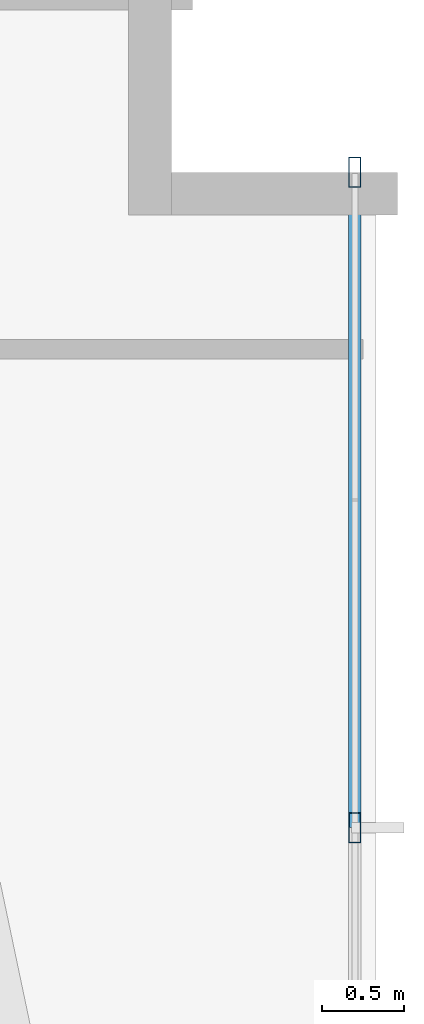
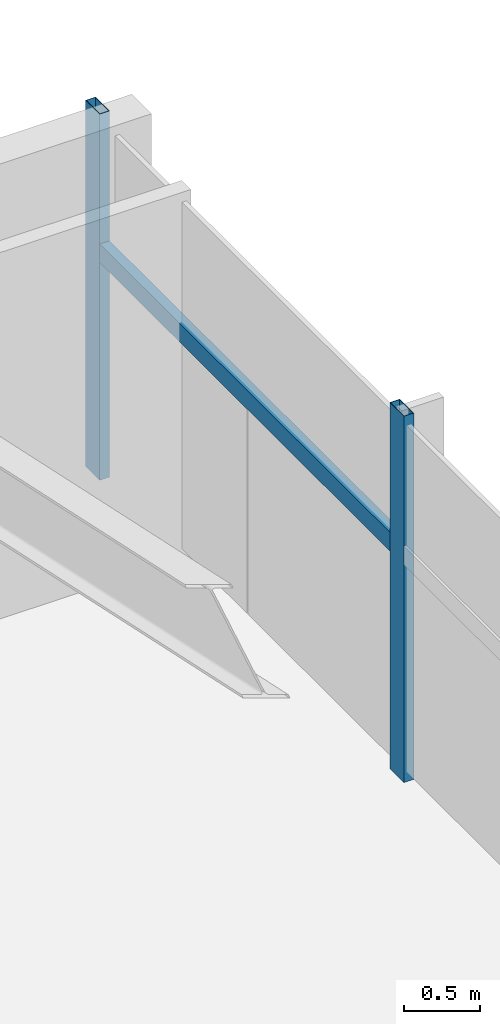
# One storey, part 17 of 25: 3 members, 1 element without a shape of its own.
"""IFC4 building model written with IfcOpenShell, lengths in metres."""

from ifc_helpers import new_model, si_unit, direction, frame, origin, origin_2d, place, context, subcontext, project, spatial, hollow_rectangle, extrude, source, transform, mapped, material, material_profile, profile_set, type_object, type_shapes, element, aggregate, save


model = new_model("IFC4")

# Units and contexts
model_context = context("Model", 3, precision=1e-05, world=origin(), true_north=direction((0.0, 1.0)))
body_context = subcontext(model_context, "Body", "Model", "MODEL_VIEW")
ifc_project = project(units=[si_unit("LENGTHUNIT", "METRE"), si_unit("AREAUNIT", "SQUARE_METRE"), si_unit("VOLUMEUNIT", "CUBIC_METRE"), si_unit("PLANEANGLEUNIT", "RADIAN"), si_unit("MASSUNIT", "GRAM", prefix="KILO")], contexts=[model_context])

# Site, building, storey
site_placement = place(None, origin())
site = spatial("IfcSite", under=ifc_project, at=site_placement, CompositionType="ELEMENT")
building_placement = place(site_placement, origin())
building = spatial("IfcBuilding", under=site, at=building_placement, Name="Astriad Promenade Condominiums", CompositionType="ELEMENT")
storey_placement = place(building_placement, frame((0.0, 0.0, 42.199951171875)))
storey = spatial("IfcBuildingStorey", under=building, at=storey_placement, Name="L11", CompositionType="ELEMENT", Elevation=42.199951171875)

# Curtain wall, members
ifc_material_1 = material(Name="Anodised aluminium Black Dark Glass Unitised", Category="aluminium")
curtain_wall_type = type_object("IfcCurtainWallType", Name="CW-B1-DARK", PredefinedType="USERDEFINED", material=ifc_material_1)
curtain_wall_placement = place(storey_placement, origin())
curtain_wall = element("IfcCurtainWall", 1, at=curtain_wall_placement, inside=storey, type_object=curtain_wall_type, Name="CW-L11-E", ObjectType="UNITISED_CURTAIN_WALL", PredefinedType="USERDEFINED")
ifc_material_2 = material(Name="Anodised aluminium 6063-T6 Black", Category="aluminium")
ifc_material_profile_1 = material_profile(ifc_material_2, hollow_rectangle(XDim=0.074951171875, YDim=0.18505859375, WallThickness=0.00439453125, at=origin_2d()), Name="ALU-MUL-75X185")
ifc_profile_set_1 = profile_set([ifc_material_profile_1], Name="Anodised aluminium 6063-T6 Black")
member_type_1 = type_object("IfcMemberType", Name="MUL-ALU-MUL-75X185", PredefinedType="MULLION", material=ifc_profile_set_1)
shared_shape_1 = source(origin(), body_context, "Body", "SweptSolid", [
    extrude(hollow_rectangle(XDim=0.074951171875, YDim=0.18505859375, WallThickness=0.00439453125, at=origin_2d()), origin(), (0.0, 0.0, 1.0), 2.93994140625),
])
type_shapes(member_type_1, [shared_shape_1])
member_1_placement = place(storey_placement, frame((59.669921875, 25.199951171875, 0.0), z_axis=(0.0, 0.0, 1.0), x_axis=(1.0, 0.0, 0.0)))
member_1 = element("IfcMember", 2, at=member_1_placement, type_object=member_type_1, Name="CW-L11-E-MUL-00", PredefinedType="MULLION", context=body_context, shape_type="MappedRepresentation", body=[
    mapped(shared_shape_1, transform((0.0, 0.0, 0.0), scale=1.0)),
])
member_2_placement = place(storey_placement, frame((59.669921875, 21.199951171875, 0.0), z_axis=(0.0, 0.0, 1.0), x_axis=(1.0, 0.0, 0.0)))
member_2 = element("IfcMember", 3, at=member_2_placement, type_object=member_type_1, Name="CW-L11-E-MUL-01", PredefinedType="MULLION", context=body_context, shape_type="MappedRepresentation", body=[
    mapped(shared_shape_1, transform((0.0, 0.0, 0.0), scale=1.0)),
])
ifc_material_profile_2 = material_profile(ifc_material_2, hollow_rectangle(XDim=0.074951171875, YDim=0.14990234375, WallThickness=0.004150390625, at=origin_2d()), Name="ALU-TRN-75X150")
ifc_profile_set_2 = profile_set([ifc_material_profile_2], Name="Anodised aluminium 6063-T6 Black")
member_type_2 = type_object("IfcMemberType", Name="TRN-ALU-TRN-75X150", PredefinedType="USERDEFINED", material=ifc_profile_set_2)
shared_shape_2 = source(origin(), body_context, "Body", "SweptSolid", [
    extrude(hollow_rectangle(XDim=0.074951171875, YDim=0.14990234375, WallThickness=0.004150390625, at=origin_2d()), origin(), (0.0, 0.0, 1.0), 4.0),
])
type_shapes(member_type_2, [shared_shape_2])
member_3_placement = place(storey_placement, frame((59.669921875, 25.199951171875, 1.82275390625), z_axis=(0.0, -1.0, 0.0), x_axis=(1.0, 0.0, 0.0)))
member_3 = element("IfcMember", 4, at=member_3_placement, type_object=member_type_2, Name="CW-L11-E-TRN-00-0", ObjectType="TRANSOM", PredefinedType="USERDEFINED", context=body_context, shape_type="MappedRepresentation", body=[
    mapped(shared_shape_2, transform((0.0, 0.0, 0.0), scale=1.0)),
])
aggregate(curtain_wall, [member_1, member_2, member_3])

save(model, "model.ifc")
